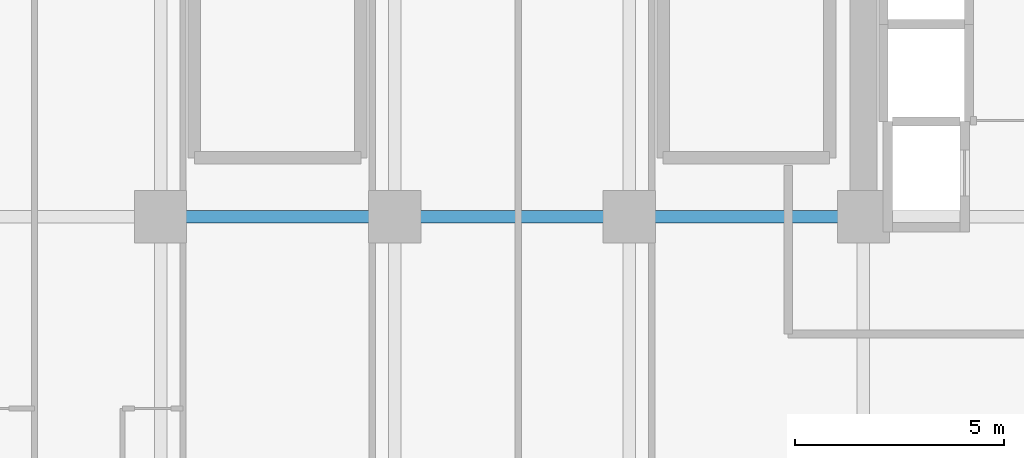
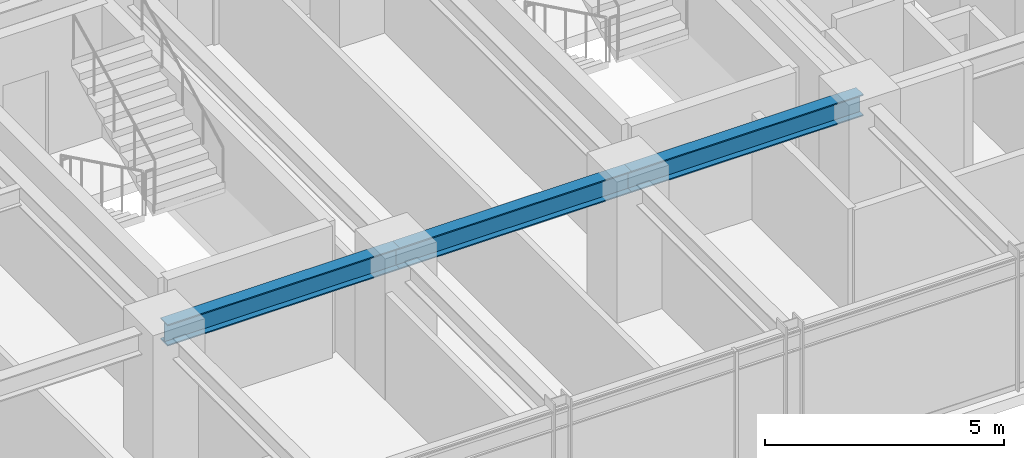
# One storey, part 6 of 33: 3 beams.
"""IFC4 building model written with IfcOpenShell, lengths in metres."""

from ifc_helpers import new_model, si_unit, direction, frame, origin, origin_2d, place, context, subcontext, project, spatial, i_section, extrude, source, transform, mapped, material, material_profile, profile_set, type_object, element, save


model = new_model("IFC4")

# Units and contexts
model_context = context("Model", 3, precision=1e-05, world=origin(), true_north=direction((0.0, 1.0)))
body_context = subcontext(model_context, "Body", "Model", "MODEL_VIEW")
ifc_project = project(units=[si_unit("LENGTHUNIT", "METRE"), si_unit("AREAUNIT", "SQUARE_METRE"), si_unit("VOLUMEUNIT", "CUBIC_METRE"), si_unit("PLANEANGLEUNIT", "RADIAN"), si_unit("MASSUNIT", "GRAM", prefix="KILO")], contexts=[model_context])

# Site, building, storey
site_placement = place(None, origin())
site = spatial("IfcSite", under=ifc_project, at=site_placement, CompositionType="ELEMENT")
building_placement = place(site_placement, origin())
building = spatial("IfcBuilding", under=site, at=building_placement, Name="Nahalor Promenade Grand Hotel", CompositionType="ELEMENT")
storey_placement = place(building_placement, frame((0.0, 0.0, 132.10009765625)))
storey = spatial("IfcBuildingStorey", under=building, at=storey_placement, Name="L33", CompositionType="ELEMENT", Elevation=132.10009765625)

# Beams
ifc_material = material(Name="Steel S355JR", Category="steel")
ifc_material_profile = material_profile(ifc_material, i_section(OverallWidth=0.3, OverallDepth=0.55, WebThickness=0.015, FlangeThickness=0.029, at=origin_2d()), Name="HEB 550")
ifc_profile_set = profile_set([ifc_material_profile], Name="Steel S355JR")
beam_type = type_object("IfcBeamType", Name="Beam-Girder-HEB550", PredefinedType="BEAM", material=ifc_profile_set)
shared_shape_1 = source(origin(), body_context, "Body", "SweptSolid", [
    extrude(i_section(OverallWidth=0.3, OverallDepth=0.55, WebThickness=0.015, FlangeThickness=0.029, at=origin_2d()), origin(), (0.0, 0.0, 1.0), 5.599853515625),
])
for number, where, z_axis, x_axis, name in (
    (1, (-8.39990234375, -17.0, 3.10498046875), (1.0, 0.0, 0.0), (0.0, 1.0, 0.0), "BM-L33-GX-0-2"),
    (2, (2.800048828125, -17.0, 3.10498046875), (1.0, 0.0, 0.0), (0.0, 1.0, 0.0), "BM-L33-GX-0-4"),
):
    element("IfcBeam", number, at=place(storey_placement, frame(where, z_axis=z_axis, x_axis=x_axis)), inside=storey, type_object=beam_type, Name=name, PredefinedType="BEAM", context=body_context, shape_type="MappedRepresentation", body=[
        mapped(shared_shape_1, transform((0.0, 0.0, 0.0), scale=1.0)),
    ])
shared_shape_2 = source(origin(), body_context, "Body", "SweptSolid", [
    extrude(i_section(OverallWidth=0.3, OverallDepth=0.55, WebThickness=0.015, FlangeThickness=0.029, at=origin_2d()), origin(), (0.0, 0.0, 1.0), 5.60009765625),
])
beam_placement = place(storey_placement, frame((-2.800048828125, -17.0, 3.10498046875), z_axis=(1.0, 0.0, 0.0), x_axis=(0.0, 1.0, 0.0)))
element("IfcBeam", 3, at=beam_placement, inside=storey, type_object=beam_type, Name="BM-L33-GX-0-3", PredefinedType="BEAM", context=body_context, shape_type="MappedRepresentation", body=[
    mapped(shared_shape_2, transform((0.0, 0.0, 0.0), scale=1.0)),
])

save(model, "model.ifc")
